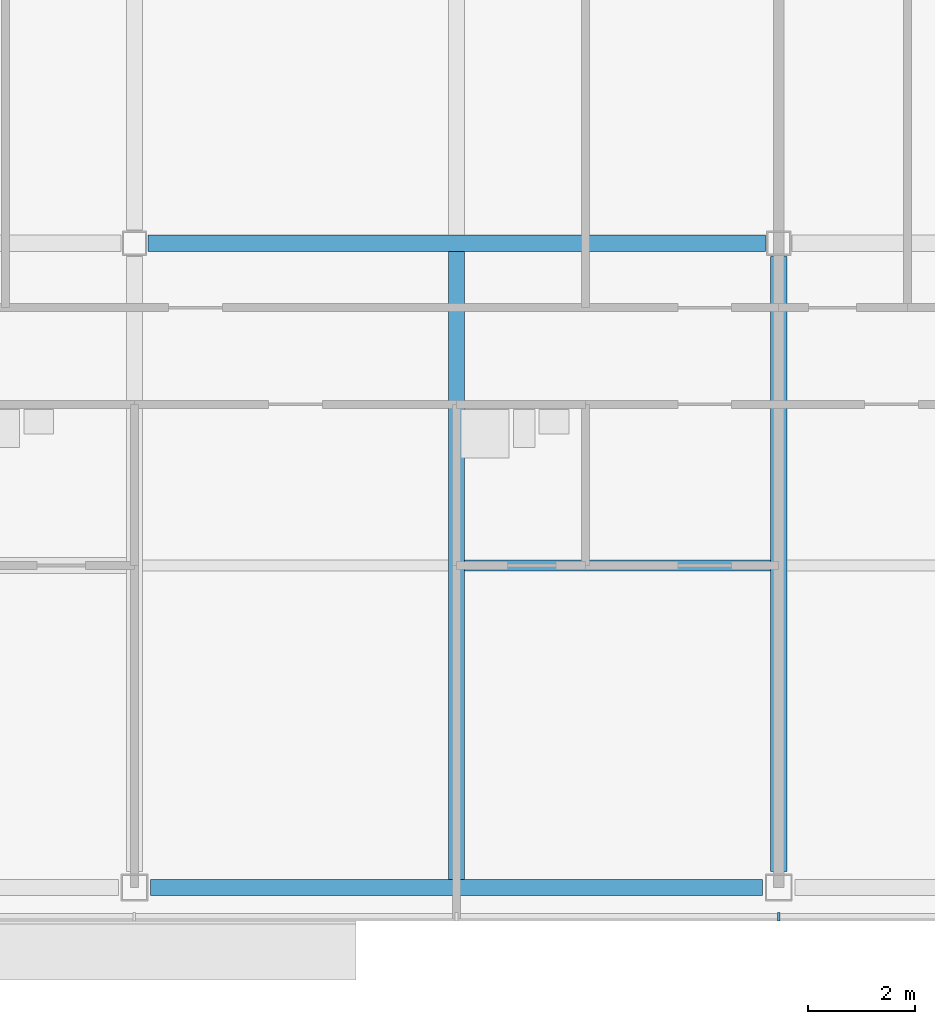
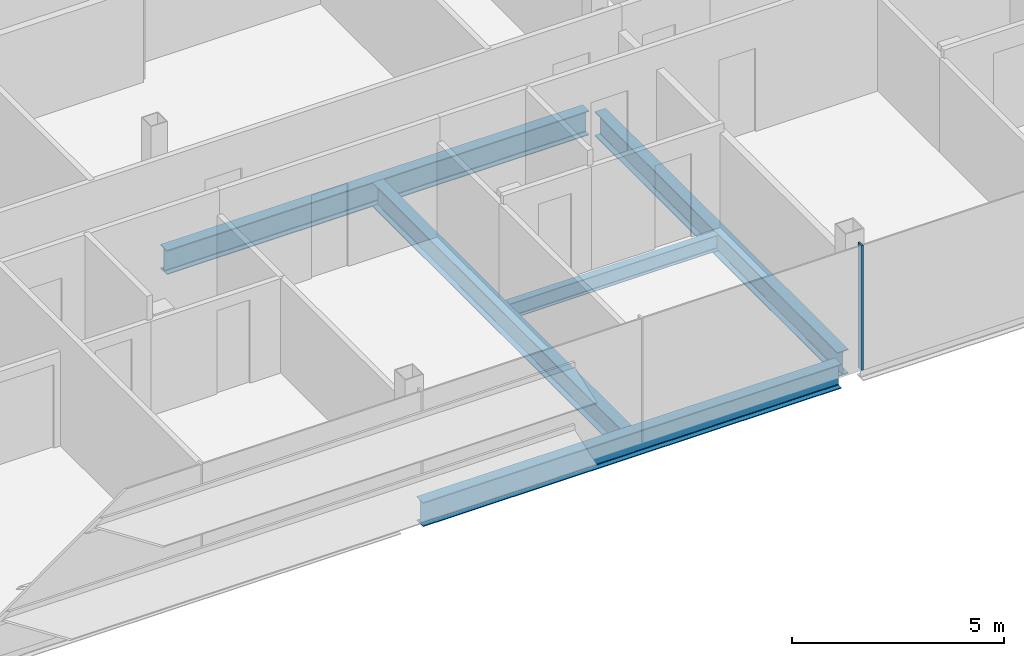
# One storey, part 5 of 28: 5 beams, 1 member, 1 element without a shape of its own.
"""IFC4 building model written with IfcOpenShell, lengths in metres."""

from ifc_helpers import new_model, si_unit, direction, frame, origin, origin_2d, place, context, subcontext, project, spatial, rectangle, i_section, extrude, material, material_profile, profile_set, type_object, element, aggregate, save


model = new_model("IFC4")

# Units and contexts
model_context = context("Model", 3, precision=1e-05, world=origin(), true_north=direction((0.0, 1.0)))
body_context = subcontext(model_context, "Body", "Model", "MODEL_VIEW")
ifc_project = project(units=[si_unit("LENGTHUNIT", "METRE"), si_unit("AREAUNIT", "SQUARE_METRE"), si_unit("VOLUMEUNIT", "CUBIC_METRE"), si_unit("PLANEANGLEUNIT", "RADIAN"), si_unit("MASSUNIT", "GRAM", prefix="KILO")], contexts=[model_context])

# Site, building, storey
site_placement = place(None, origin())
site = spatial("IfcSite", under=ifc_project, at=site_placement, CompositionType="ELEMENT")
building_placement = place(site_placement, origin())
building = spatial("IfcBuilding", under=site, at=building_placement, Name="Sorahane Residences", CompositionType="ELEMENT")
storey_placement = place(building_placement, frame((0.0, 0.0, 301.60009765625)))
storey = spatial("IfcBuildingStorey", under=building, at=storey_placement, Name="L71", CompositionType="ELEMENT", Elevation=301.60009765625)

# Curtain wall, member
ifc_material_1 = material(Name="Dark low-e glass and black anodised aluminium", Category="aluminium")
curtain_wall_type = type_object("IfcCurtainWallType", Name="Curtain wall CW-1 Typical unitised wall", PredefinedType="NOTDEFINED", material=ifc_material_1)
curtain_wall_placement = place(storey_placement, origin())
curtain_wall = element("IfcCurtainWall", 1, at=curtain_wall_placement, inside=storey, type_object=curtain_wall_type, Name="CW-1 curtain wall L71 S1", PredefinedType="NOTDEFINED")
ifc_material_2 = material(Name="Black anodised aluminium", Category="aluminium")
ifc_material_profile_1 = material_profile(ifc_material_2, rectangle(XDim=0.159912109375, YDim=0.050048828125, at=origin_2d()), Name="Curtain wall mullion CW-1 black anodised aluminium 50x160")
ifc_profile_set_1 = profile_set([ifc_material_profile_1], Name="Black anodised aluminium")
member_type = type_object("IfcMemberType", Name="Curtain wall mullion CW-1 black anodised aluminium 50x160", PredefinedType="MULLION", material=ifc_profile_set_1)
member_placement = place(storey_placement, frame((12.0, -0.5400390625, -0.18017578125), z_axis=(0.0, 0.0, 1.0), x_axis=(0.0, -1.0, 0.0)))
member = element("IfcMember", 2, at=member_placement, type_object=member_type, Name="CW-1 mullion L71 S1.5", PredefinedType="MULLION", context=body_context, shape_type="SweptSolid", body=[
    extrude(rectangle(XDim=0.159912109375, YDim=0.050048828125, at=origin_2d()), origin(), (0.0, 0.0, 1.0), 3.60009765625),
])
aggregate(curtain_wall, [member])

# Beams
ifc_material_3 = material(Name="Steel Q355B", Category="steel")
ifc_material_profile_2 = material_profile(ifc_material_3, i_section(OverallWidth=0.199951171875, OverallDepth=0.449951171875, WebThickness=0.009033203125, FlangeThickness=0.013916015625, FilletRadius=0.02001953125, at=origin_2d()), Name="HN 450x200x9x14")
ifc_profile_set_2 = profile_set([ifc_material_profile_2], Name="Steel Q355B")
beam_type_1 = type_object("IfcBeamType", Name="Steel floor beam HN 450x200x9x14 Q355B", PredefinedType="BEAM", material=ifc_profile_set_2)
beam_1_placement = place(storey_placement, frame((6.14990234375, 6.0, -0.405029296875), z_axis=(1.0, 0.0, 0.0), x_axis=(0.0, 1.0, 0.0)))
element("IfcBeam", 3, at=beam_1_placement, inside=storey, type_object=beam_type_1, Name="Beam L71 069", PredefinedType="BEAM", context=body_context, shape_type="SweptSolid", body=[
    extrude(i_section(OverallWidth=0.199951171875, OverallDepth=0.449951171875, WebThickness=0.009033203125, FlangeThickness=0.013916015625, FilletRadius=0.02001953125, at=origin_2d()), origin(), (0.0, 0.0, 1.0), 5.7001953125),
])
ifc_material_4 = material(Name="Steel Q355B", Category="steel")
ifc_material_profile_3 = material_profile(ifc_material_4, i_section(OverallWidth=0.300048828125, OverallDepth=0.699951171875, WebThickness=0.012939453125, FlangeThickness=0.02392578125, FilletRadius=0.028076171875, at=origin_2d()), Name="HN 700x300x13x24")
ifc_profile_set_3 = profile_set([ifc_material_profile_3], Name="Steel Q355B")
beam_type_2 = type_object("IfcBeamType", Name="Steel floor beam HN 700x300x13x24 Q355B", PredefinedType="BEAM", material=ifc_profile_set_3)
beam_2_placement = place(storey_placement, frame((0.300048828125, 0.0, -0.530029296875), z_axis=(1.0, 0.0, 0.0), x_axis=(0.0, 1.0, 0.0)))
element("IfcBeam", 4, at=beam_2_placement, inside=storey, type_object=beam_type_2, Name="Beam L71 001", PredefinedType="BEAM", context=body_context, shape_type="SweptSolid", body=[
    extrude(i_section(OverallWidth=0.300048828125, OverallDepth=0.699951171875, WebThickness=0.012939453125, FlangeThickness=0.02392578125, FilletRadius=0.028076171875, at=origin_2d()), origin(), (0.0, 0.0, 1.0), 11.39990234375),
])
beam_3_placement = place(storey_placement, frame((0.25, 12.0, -0.530029296875), z_axis=(1.0, 0.0, 0.0), x_axis=(0.0, 1.0, 0.0)))
element("IfcBeam", 5, at=beam_3_placement, inside=storey, type_object=beam_type_2, Name="Beam L71 007", PredefinedType="BEAM", context=body_context, shape_type="SweptSolid", body=[
    extrude(i_section(OverallWidth=0.300048828125, OverallDepth=0.699951171875, WebThickness=0.012939453125, FlangeThickness=0.02392578125, FilletRadius=0.028076171875, at=origin_2d()), origin(), (0.0, 0.0, 1.0), 11.5),
])
beam_4_placement = place(storey_placement, frame((6.0, 0.14990234375, -0.530029296875), z_axis=(0.0, 1.0, 0.0), x_axis=(-1.0, 0.0, 0.0)))
element("IfcBeam", 6, at=beam_4_placement, inside=storey, type_object=beam_type_2, Name="Beam L71 032", PredefinedType="BEAM", context=body_context, shape_type="SweptSolid", body=[
    extrude(i_section(OverallWidth=0.300048828125, OverallDepth=0.699951171875, WebThickness=0.012939453125, FlangeThickness=0.02392578125, FilletRadius=0.028076171875, at=origin_2d()), origin(), (0.0, 0.0, 1.0), 11.7001953125),
])
beam_5_placement = place(storey_placement, frame((12.0, 0.300048828125, -0.530029296875), z_axis=(0.0, 1.0, 0.0), x_axis=(-1.0, 0.0, 0.0)))
element("IfcBeam", 7, at=beam_5_placement, inside=storey, type_object=beam_type_2, Name="Beam L71 038", PredefinedType="BEAM", context=body_context, shape_type="SweptSolid", body=[
    extrude(i_section(OverallWidth=0.300048828125, OverallDepth=0.699951171875, WebThickness=0.012939453125, FlangeThickness=0.02392578125, FilletRadius=0.028076171875, at=origin_2d()), origin(), (0.0, 0.0, 1.0), 11.449951171875),
])

save(model, "model.ifc")
